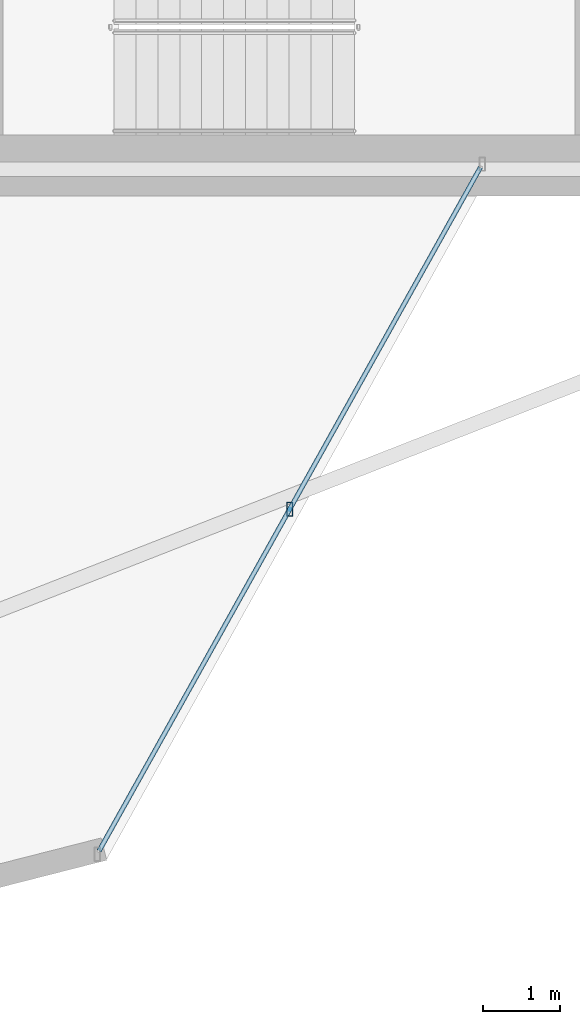
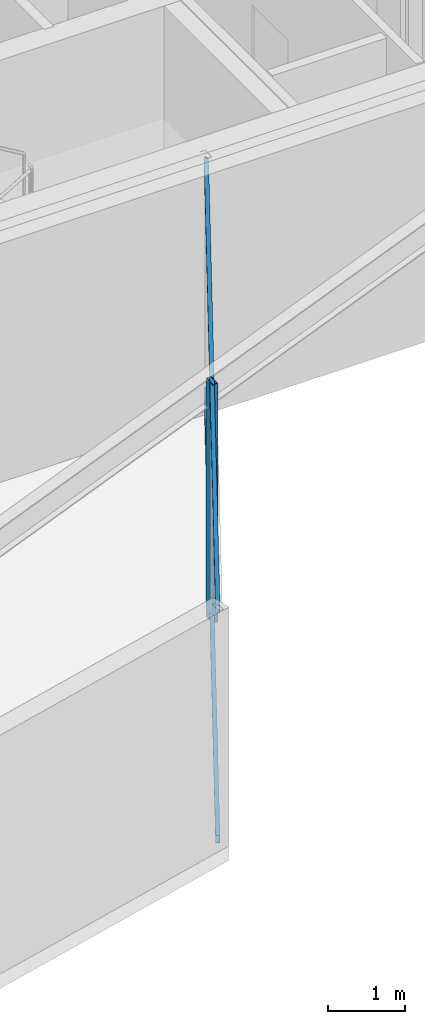
# One storey, part 13 of 23: 3 members, 1 element without a shape of its own.
"""IFC4 building model written with IfcOpenShell, lengths in metres."""

from ifc_helpers import new_model, si_unit, direction, frame, origin, origin_2d, place, context, subcontext, project, spatial, hollow_rectangle, extrude, material, layer, layer_set, material_profile, profile_set, type_object, element, aggregate, save


model = new_model("IFC4")

# Units and contexts
model_context = context("Model", 3, precision=1e-05, world=origin(), true_north=direction((0.0, 1.0)))
body_context = subcontext(model_context, "Body", "Model", "MODEL_VIEW")
ifc_project = project(units=[si_unit("LENGTHUNIT", "METRE"), si_unit("AREAUNIT", "SQUARE_METRE"), si_unit("VOLUMEUNIT", "CUBIC_METRE"), si_unit("PLANEANGLEUNIT", "RADIAN"), si_unit("MASSUNIT", "GRAM", prefix="KILO")], contexts=[model_context])

# Site, building, storey
site_placement = place(None, origin())
site = spatial("IfcSite", under=ifc_project, at=site_placement, CompositionType="ELEMENT")
building_placement = place(site_placement, origin())
building = spatial("IfcBuilding", under=site, at=building_placement, Name="Veymaron Broadcast Tower", CompositionType="ELEMENT")
storey_placement = place(building_placement, frame((0.0, 0.0, 161.39990234375)))
storey = spatial("IfcBuildingStorey", under=building, at=storey_placement, Name="L37", CompositionType="ELEMENT", Elevation=161.39990234375)

# Curtain wall, members
ifc_material_1 = material(Name="Anodised aluminium AA 6063-T6 and laminated low-E dark glass", Category="aluminium")
ifc_layer = layer(ifc_material_1, 0.179931640625)
ifc_layer_set = layer_set([ifc_layer], Name="Anodised aluminium AA 6063-T6 and laminated low-E dark glass")
curtain_wall_type = type_object("IfcCurtainWallType", Name="CW-SYS-03", PredefinedType="NOTDEFINED", material=ifc_layer_set)
curtain_wall_placement = place(storey_placement, origin())
curtain_wall = element("IfcCurtainWall", 1, at=curtain_wall_placement, inside=storey, type_object=curtain_wall_type, Name="L37 dark-glass curtain wall CW-L37-E1-1", PredefinedType="NOTDEFINED")
ifc_material_2 = material(Name="Anodised aluminium AA 6063-T6", Category="aluminium")
ifc_material_profile_1 = material_profile(ifc_material_2, hollow_rectangle(XDim=0.074951171875, YDim=0.179931640625, WallThickness=0.0048828125, at=origin_2d()), Name="AL180X75X5")
ifc_profile_set_1 = profile_set([ifc_material_profile_1], Name="Anodised aluminium AA 6063-T6")
member_type_1 = type_object("IfcMemberType", Name="CW-MUL-02", PredefinedType="MULLION", material=ifc_profile_set_1)
member_1_placement = place(storey_placement, frame((43.7197265625, 11.566162109375, 0.0), z_axis=(0.0, 0.0, 1.0), x_axis=(1.0, 0.0, 0.0)))
member_1 = element("IfcMember", 2, at=member_1_placement, type_object=member_type_1, Name="CW-L37-E1-1 mullion 1", PredefinedType="MULLION", context=body_context, shape_type="SweptSolid", body=[
    extrude(hollow_rectangle(XDim=0.074951171875, YDim=0.179931640625, WallThickness=0.0048828125, at=origin_2d()), origin(), (0.0, 0.0, 1.0), 3.81005859375),
])
ifc_material_profile_2 = material_profile(ifc_material_2, hollow_rectangle(XDim=0.06005859375, YDim=0.1201171875, WallThickness=0.00390625, at=origin_2d()), Name="AL120X60X4")
ifc_profile_set_2 = profile_set([ifc_material_profile_2], Name="Anodised aluminium AA 6063-T6")
member_type_2 = type_object("IfcMemberType", Name="CW-TRN-02", PredefinedType="USERDEFINED", material=ifc_profile_set_2)
member_2_placement = place(storey_placement, frame((41.232421875, 7.10791015625, 0.070068359375), z_axis=(0.487213514893, 0.873282881377, 0.0), x_axis=(-0.873282881377, 0.487213514893, 0.0)))
member_2 = element("IfcMember", 3, at=member_2_placement, type_object=member_type_2, Name="CW-L37-E1-1 transom B", ObjectType="TRANSOM", PredefinedType="USERDEFINED", context=body_context, shape_type="SweptSolid", body=[
    extrude(hollow_rectangle(XDim=0.06005859375, YDim=0.1201171875, WallThickness=0.00390625, at=origin_2d()), origin(), (0.0, 0.0, 1.0), 10.210205078125),
])
member_3_placement = place(storey_placement, frame((41.232421875, 7.10791015625, 3.739990234375), z_axis=(0.487213514893, 0.873282881377, 0.0), x_axis=(-0.873282881377, 0.487213514893, 0.0)))
member_3 = element("IfcMember", 4, at=member_3_placement, type_object=member_type_2, Name="CW-L37-E1-1 transom T", ObjectType="TRANSOM", PredefinedType="USERDEFINED", context=body_context, shape_type="SweptSolid", body=[
    extrude(hollow_rectangle(XDim=0.06005859375, YDim=0.1201171875, WallThickness=0.00390625, at=origin_2d()), origin(), (0.0, 0.0, 1.0), 10.210205078125),
])
aggregate(curtain_wall, [member_1, member_2, member_3])

save(model, "model.ifc")
